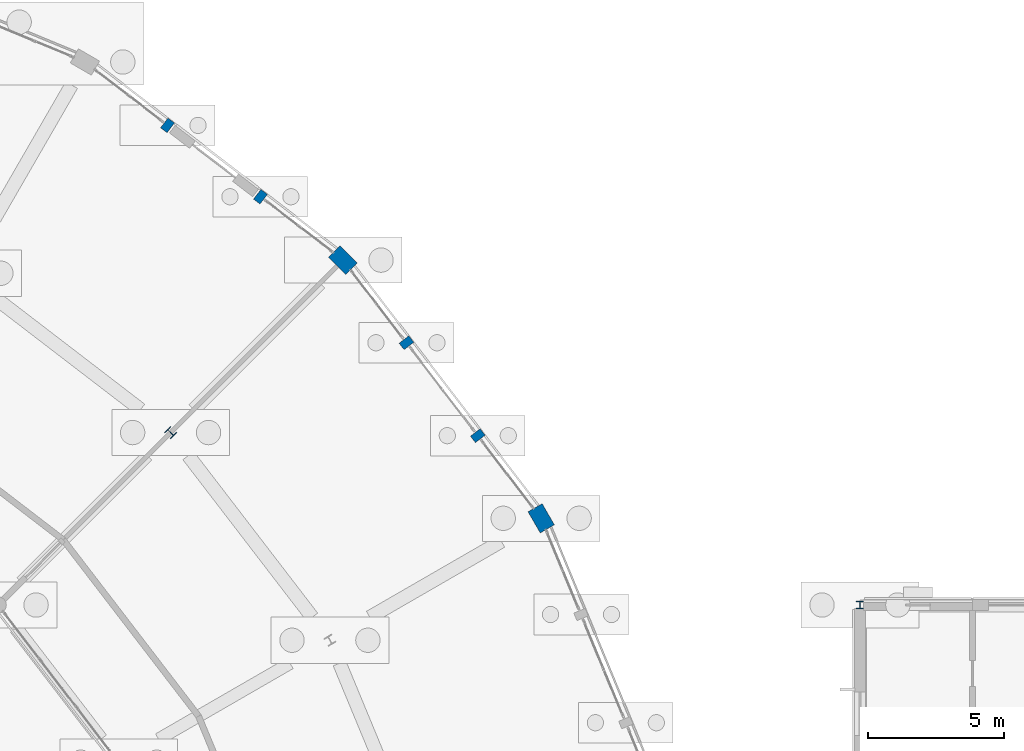
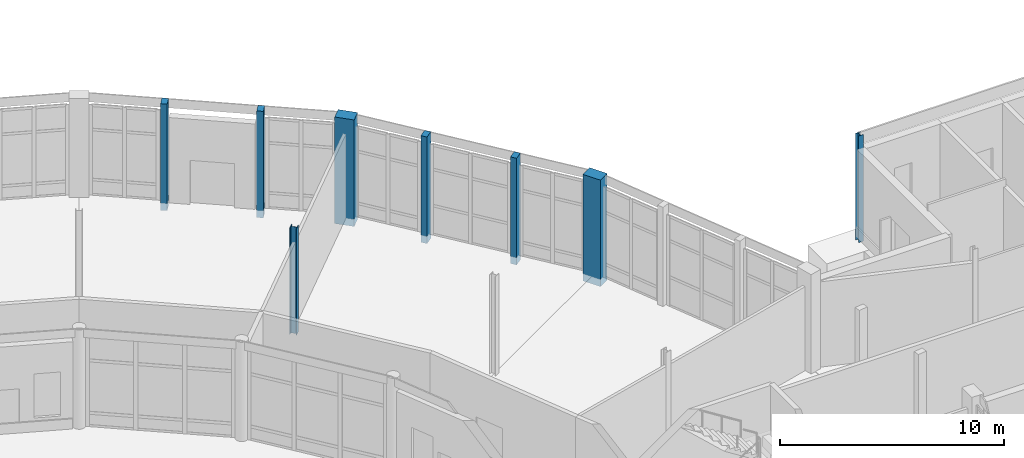
# One storey, part 25 of 137: 8 columns.
"""IFC4 building model written with IfcOpenShell, lengths in metres."""

from ifc_helpers import new_model, si_unit, direction, frame, origin, origin_2d, place, context, subcontext, project, spatial, rectangle, i_section, extrude, material, material_profile, profile_set, type_object, element, save


model = new_model("IFC4")

# Units and contexts
model_context = context("Model", 3, precision=1e-05, world=origin(), true_north=direction((0.0, 1.0)))
body_context = subcontext(model_context, "Body", "Model", "MODEL_VIEW")
ifc_project = project(units=[si_unit("LENGTHUNIT", "METRE"), si_unit("AREAUNIT", "SQUARE_METRE"), si_unit("VOLUMEUNIT", "CUBIC_METRE"), si_unit("PLANEANGLEUNIT", "RADIAN"), si_unit("MASSUNIT", "GRAM", prefix="KILO")], contexts=[model_context])

# Site, building, storey
site_placement = place(None, origin())
site = spatial("IfcSite", under=ifc_project, at=site_placement, CompositionType="ELEMENT")
building_placement = place(site_placement, origin())
building = spatial("IfcBuilding", under=site, at=building_placement, Name="Vondelvale Polytechnic", CompositionType="ELEMENT")
storey_placement = place(building_placement, origin())
storey = spatial("IfcBuildingStorey", under=building, at=storey_placement, Name="L00", CompositionType="ELEMENT", Elevation=0.0)

# Columns
ifc_material_1 = material(Name="Glulam GL18 structural Tasmanian oak (fb = 42 MPa)", Category="wood")
ifc_material_profile_1 = material_profile(ifc_material_1, rectangle(XDim=0.300048828125, YDim=0.449951171875, at=origin_2d()), Name="GL-POST-300x450")
ifc_profile_set_1 = profile_set([ifc_material_profile_1], Name="Glulam GL18 structural Tasmanian oak (fb = 42 MPa)")
column_type_1 = type_object("IfcColumnType", Name="COL-GLULAM-300x450", PredefinedType="PILASTER", material=ifc_profile_set_1)
for number, where, z_axis, x_axis, name in (
    (1, (139.497802734375, 98.048583984375, -0.39990234375), (0.0, 0.0, 1.0), (-0.608761429009, 0.793353340291, 0.0), "L00 ring outer glulam timber post C02-P1"),
    (2, (136.8662109375, 101.478271484375, -0.39990234375), (0.0, 0.0, 1.0), (-0.608761429009, 0.793353340291, 0.0), "L00 ring outer glulam timber post C02-P2"),
    (3, (131.478271484375, 106.8662109375, -0.39990234375), (0.0, 0.0, 1.0), (-0.793353340291, 0.608761429009, 0.0), "L00 ring outer glulam timber post C03-P1"),
    (4, (128.048583984375, 109.497802734375, -0.39990234375), (0.0, 0.0, 1.0), (-0.793353340291, 0.608761429009, 0.0), "L00 ring outer glulam timber post C03-P2"),
):
    element("IfcColumn", number, at=place(storey_placement, frame(where, z_axis=z_axis, x_axis=x_axis)), inside=storey, type_object=column_type_1, Name=name, PredefinedType="PILASTER", context=body_context, shape_type="SweptSolid", body=[
        extrude(rectangle(XDim=0.300048828125, YDim=0.449951171875, at=origin_2d()), origin(), (0.0, 0.0, 1.0), 5.7998046875),
    ])
ifc_material_2 = material(Name="Concrete N50 (f'c = 50 MPa)", Category="concrete")
ifc_material_profile_2 = material_profile(ifc_material_2, rectangle(XDim=0.60009765625, YDim=0.89990234375, at=origin_2d()), Name="RC-COL-900x600")
ifc_profile_set_2 = profile_set([ifc_material_profile_2], Name="Concrete N50 (f'c = 50 MPa)")
column_type_2 = type_object("IfcColumnType", Name="COL-RC900x600", PredefinedType="COLUMN", material=ifc_profile_set_2)
for number, where, z_axis, x_axis, name in (
    (5, (141.837158203125, 95.0, -0.39990234375), (0.0, 0.0, 1.0), (0.866025403784, 0.5, 0.0), "L00 courtyard ring column S02-RO"),
    (6, (134.52685546875, 104.52685546875, -0.39990234375), (0.0, 0.0, 1.0), (0.707106781187, 0.707106781187, 0.0), "L00 courtyard ring column S03-RO"),
):
    element("IfcColumn", number, at=place(storey_placement, frame(where, z_axis=z_axis, x_axis=x_axis)), inside=storey, type_object=column_type_2, Name=name, PredefinedType="COLUMN", context=body_context, shape_type="SweptSolid", body=[
        extrude(rectangle(XDim=0.60009765625, YDim=0.89990234375, at=origin_2d()), origin(), (0.0, 0.0, 1.0), 5.7998046875),
    ])
ifc_material_3 = material(Name="Steel 300PLUS (fy = 300 MPa)", Category="steel")
ifc_material_profile_3 = material_profile(ifc_material_3, i_section(OverallWidth=0.256103515625, OverallDepth=0.260009765625, WebThickness=0.010498046875, FlangeThickness=0.017333984375, FilletRadius=0.013916015625, at=origin_2d()), Name="250UC89.5")
ifc_profile_set_3 = profile_set([ifc_material_profile_3], Name="Steel 300PLUS (fy = 300 MPa)")
column_type_3 = type_object("IfcColumnType", Name="COL-UC250", PredefinedType="COLUMN", material=ifc_profile_set_3)
column_1_placement = place(storey_placement, frame((153.60009765625, 91.800048828125, -0.39990234375), z_axis=(0.0, 0.0, 1.0), x_axis=(1.0, 0.0, 0.0)))
element("IfcColumn", 7, at=column_1_placement, inside=storey, type_object=column_type_3, Name="L00 East pavilion column (153.6,91.8)", PredefinedType="COLUMN", context=body_context, shape_type="SweptSolid", body=[
    extrude(i_section(OverallWidth=0.256103515625, OverallDepth=0.260009765625, WebThickness=0.010498046875, FlangeThickness=0.017333984375, FilletRadius=0.013916015625, at=origin_2d()), origin(), (0.0, 0.0, 1.0), 5.7998046875),
])
ifc_material_profile_4 = material_profile(ifc_material_3, i_section(OverallWidth=0.30908203125, OverallDepth=0.321044921875, WebThickness=0.013916015625, FlangeThickness=0.021728515625, FilletRadius=0.0166015625, at=origin_2d()), Name="310UC137")
ifc_profile_set_4 = profile_set([ifc_material_profile_4], Name="Steel 300PLUS (fy = 300 MPa)")
column_type_4 = type_object("IfcColumnType", Name="COL-UC310M", PredefinedType="COLUMN", material=ifc_profile_set_4)
column_2_placement = place(storey_placement, frame((128.1630859375, 98.1630859375, -0.39990234375), z_axis=(0.0, 0.0, 1.0), x_axis=(0.707106781187, 0.707106781187, 0.0)))
element("IfcColumn", 8, at=column_2_placement, inside=storey, type_object=column_type_4, Name="L00 courtyard ring column S03-RM", PredefinedType="COLUMN", context=body_context, shape_type="SweptSolid", body=[
    extrude(i_section(OverallWidth=0.30908203125, OverallDepth=0.321044921875, WebThickness=0.013916015625, FlangeThickness=0.021728515625, FilletRadius=0.0166015625, at=origin_2d()), origin(), (0.0, 0.0, 1.0), 5.7998046875),
])

save(model, "model.ifc")
